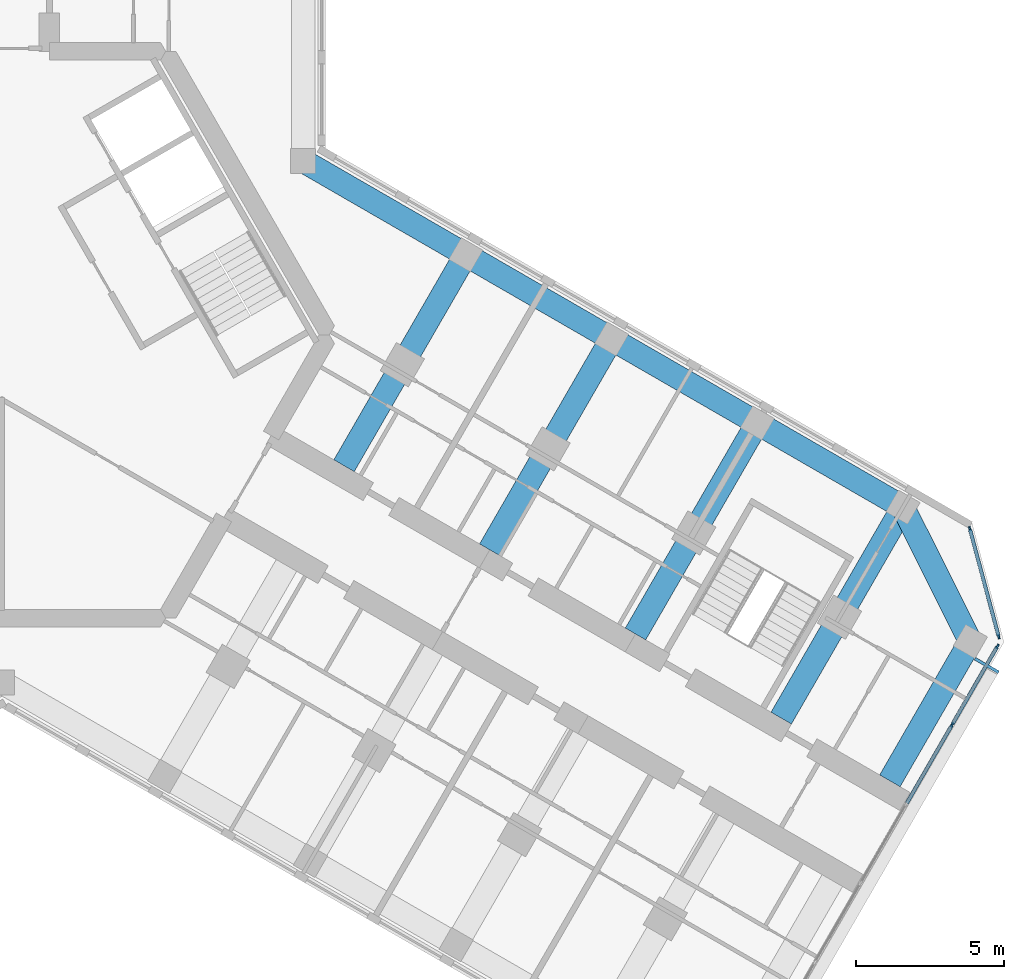
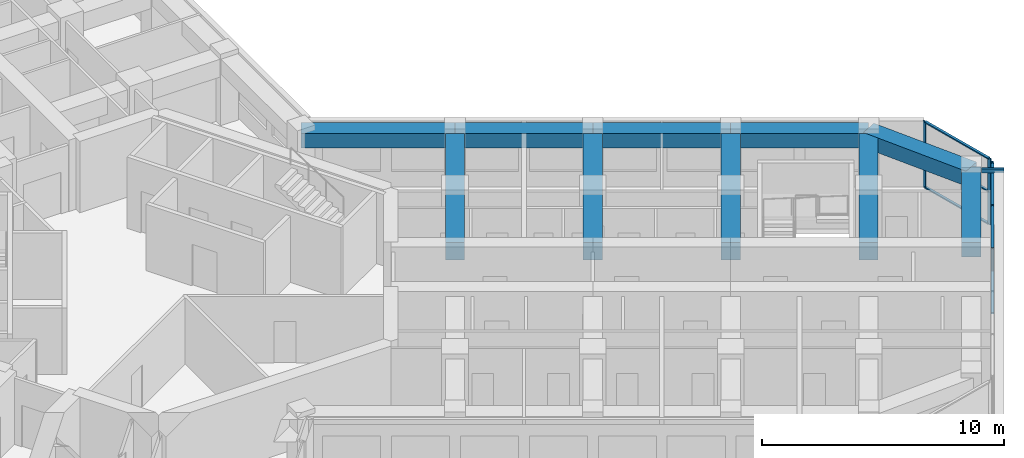
# One storey, part 5 of 16: 12 members, 10 beams, 2 elements without a shape of their own.
"""IFC4 building model written with IfcOpenShell, lengths in metres."""

from ifc_helpers import new_model, si_unit, direction, frame, origin, origin_2d, place, context, subcontext, project, spatial, rectangle, hollow_rectangle, extrude, material, material_profile, profile_set, type_object, element, aggregate, save


model = new_model("IFC4")

# Units and contexts
model_context = context("Model", 3, precision=1e-05, world=origin(), true_north=direction((0.0, 1.0)))
body_context = subcontext(model_context, "Body", "Model", "MODEL_VIEW")
ifc_project = project(units=[si_unit("LENGTHUNIT", "METRE"), si_unit("AREAUNIT", "SQUARE_METRE"), si_unit("VOLUMEUNIT", "CUBIC_METRE"), si_unit("PLANEANGLEUNIT", "RADIAN"), si_unit("MASSUNIT", "GRAM", prefix="KILO")], contexts=[model_context])

# Site, building, storey
site_placement = place(None, origin())
site = spatial("IfcSite", under=ifc_project, at=site_placement, CompositionType="ELEMENT")
building_placement = place(site_placement, origin())
building = spatial("IfcBuilding", under=site, at=building_placement, Name="Kosmar Iwan School Tower", CompositionType="ELEMENT")
storey_placement = place(building_placement, frame((0.0, 0.0, 238.800048828125)))
storey = spatial("IfcBuildingStorey", under=building, at=storey_placement, Name="L60", CompositionType="ELEMENT", Elevation=238.800048828125)

# Member
ifc_material_1 = material(Name="Steel S355", Category="steel")
ifc_material_profile_1 = material_profile(ifc_material_1, hollow_rectangle(XDim=0.10009765625, YDim=0.199951171875, WallThickness=0.008056640625, at=origin_2d()), Name="RHS 200x100x8")
ifc_profile_set_1 = profile_set([ifc_material_profile_1], Name="Steel S355")
member_type_1 = type_object("IfcMemberType", Name="Fin bracket RHS 200x100", PredefinedType="USERDEFINED", material=ifc_profile_set_1)
member_1_placement = place(storey_placement, frame((32.9541015625, -10.971923828125, 3.474853515625), z_axis=(0.865943820382, -0.500141279983, 0.0), x_axis=(0.500141279983, 0.865943820382, 0.0)))
element("IfcMember", 1, at=member_1_placement, inside=storey, type_object=member_type_1, Name="Fin bracket L61", ObjectType="FIN BRACKET", PredefinedType="USERDEFINED", context=body_context, shape_type="SweptSolid", body=[
    extrude(hollow_rectangle(XDim=0.10009765625, YDim=0.199951171875, WallThickness=0.008056640625, at=origin_2d()), origin(), (0.0, 0.0, 1.0), 0.925048828125),
])

# Curtain wall, members
ifc_material_2 = material(Name="Dark glass in black aluminium frame", Category="aluminium")
curtain_wall_type_1 = type_object("IfcCurtainWallType", Name="Tower curtain wall dark glass", PredefinedType="USERDEFINED", material=ifc_material_2)
curtain_wall_1_placement = place(storey_placement, origin())
curtain_wall_1 = element("IfcCurtainWall", 2, at=curtain_wall_1_placement, inside=storey, type_object=curtain_wall_type_1, Name="Curtain wall L60-F01", ObjectType="UNITISED CURTAIN WALL", PredefinedType="USERDEFINED")
ifc_material_3 = material(Name="Black anodised aluminium", Category="aluminium")
ifc_material_profile_2 = material_profile(ifc_material_3, rectangle(XDim=0.06005859375, YDim=0.159912109375, at=origin_2d()), Name="MULLION 60x160")
ifc_profile_set_2 = profile_set([ifc_material_profile_2], Name="Black anodised aluminium")
member_type_2 = type_object("IfcMemberType", Name="Mullion 60x160", PredefinedType="MULLION", material=ifc_profile_set_2)
member_2_placement = place(storey_placement, frame((32.1806640625, -13.21142578125, 0.0), z_axis=(0.0, 0.0, 1.0), x_axis=(-0.866025405329, 0.499999997325, 0.0)))
member_2 = element("IfcMember", 3, at=member_2_placement, type_object=member_type_2, Name="CW1 mullion 5", PredefinedType="MULLION", context=body_context, shape_type="SweptSolid", body=[
    extrude(rectangle(XDim=0.06005859375, YDim=0.159912109375, at=origin_2d()), origin(), (0.0, 0.0, 1.0), 3.349853515625),
])
member_3_placement = place(storey_placement, frame((33.71533203125, -10.55322265625, 0.0), z_axis=(0.0, 0.0, 1.0), x_axis=(-0.866025405329, 0.499999997325, 0.0)))
member_3 = element("IfcMember", 4, at=member_3_placement, type_object=member_type_2, Name="CW1 mullion 6", PredefinedType="MULLION", context=body_context, shape_type="SweptSolid", body=[
    extrude(rectangle(XDim=0.06005859375, YDim=0.159912109375, at=origin_2d()), origin(), (0.0, 0.0, 1.0), 3.349853515625),
])

ifc_material_4 = material(Name="Dark glass in black aluminium frame", Category="aluminium")
curtain_wall_type_2 = type_object("IfcCurtainWallType", Name="Chamfer curtain wall dark glass", PredefinedType="USERDEFINED", material=ifc_material_4)
curtain_wall_2_placement = place(storey_placement, origin())
curtain_wall_2 = element("IfcCurtainWall", 5, at=curtain_wall_2_placement, inside=storey, type_object=curtain_wall_type_2, Name="Curtain wall L60-F02", ObjectType="FACETED CURTAIN WALL", PredefinedType="USERDEFINED")
member_4_placement = place(storey_placement, frame((33.7587890625, -10.2236328125, 0.0), z_axis=(0.0, 0.0, 1.0), x_axis=(-0.965925875495, -0.258818861462, 0.0)))
member_4 = element("IfcMember", 6, at=member_4_placement, type_object=member_type_2, Name="CW2 mullion 1", PredefinedType="MULLION", context=body_context, shape_type="SweptSolid", body=[
    extrude(rectangle(XDim=0.06005859375, YDim=0.159912109375, at=origin_2d()), origin(), (0.0, 0.0, 1.0), 3.349853515625),
])
member_5_placement = place(storey_placement, frame((32.78076171875, -6.5732421875, 0.0), z_axis=(0.0, 0.0, 1.0), x_axis=(-0.965925875495, -0.258818861462, 0.0)))
member_5 = element("IfcMember", 7, at=member_5_placement, type_object=member_type_2, Name="CW2 mullion 2", PredefinedType="MULLION", context=body_context, shape_type="SweptSolid", body=[
    extrude(rectangle(XDim=0.06005859375, YDim=0.159912109375, at=origin_2d()), origin(), (0.0, 0.0, 1.0), 3.349853515625),
])

# Beams
ifc_material_5 = material(Name="Concrete C50/60", Category="concrete")
ifc_material_profile_3 = material_profile(ifc_material_5, rectangle(XDim=0.800048828125, YDim=0.75, at=origin_2d()), Name="RC 800x750")
ifc_profile_set_3 = profile_set([ifc_material_profile_3], Name="Concrete C50/60")
beam_type_1 = type_object("IfcBeamType", Name="RC edge beam 800x750", PredefinedType="BEAM", material=ifc_profile_set_3)
beam_1_placement = place(storey_placement, frame((10.199951171875, 5.888916015625, 2.974853515625), z_axis=(0.866030912664, -0.49999045822, 0.0), x_axis=(0.49999045822, 0.866030912664, 0.0)))
element("IfcBeam", 8, at=beam_1_placement, inside=storey, type_object=beam_type_1, Name="Edge beam CL1", PredefinedType="BEAM", context=body_context, shape_type="SweptSolid", body=[
    extrude(rectangle(XDim=0.800048828125, YDim=0.75, at=origin_2d()), origin(), (0.0, 0.0, 1.0), 6.36083984375),
])
beam_2_placement = place(storey_placement, frame((15.708740234375, 2.70849609375, 2.974853515625), z_axis=(0.866025820012, -0.499999279071, 0.0), x_axis=(0.499999279071, 0.866025820012, 0.0)))
element("IfcBeam", 9, at=beam_2_placement, inside=storey, type_object=beam_type_1, Name="Edge beam CL2", PredefinedType="BEAM", context=body_context, shape_type="SweptSolid", body=[
    extrude(rectangle(XDim=0.800048828125, YDim=0.75, at=origin_2d()), origin(), (0.0, 0.0, 1.0), 5.7001953125),
])
for number, where, z_axis, x_axis, name in (
    (10, (20.645263671875, -0.1416015625, 2.974853515625), (0.866033658841, -0.49998570155, 0.0), (0.49998570155, 0.866033658841, 0.0), "Edge beam CL3"),
    (11, (25.58154296875, -2.991455078125, 2.974853515625), (0.866015111908, -0.50001782563, 0.0), (0.50001782563, 0.866015111908, 0.0), "Edge beam CL4"),
):
    element("IfcBeam", number, at=place(storey_placement, frame(where, z_axis=z_axis, x_axis=x_axis)), inside=storey, type_object=beam_type_1, Name=name, PredefinedType="BEAM", context=body_context, shape_type="SweptSolid", body=[
        extrude(rectangle(XDim=0.800048828125, YDim=0.75, at=origin_2d()), origin(), (0.0, 0.0, 1.0), 5.699951171875),
    ])
ifc_material_6 = material(Name="Concrete C50/60", Category="concrete")
ifc_material_profile_4 = material_profile(ifc_material_6, rectangle(XDim=0.800048828125, YDim=0.75, at=origin_2d()), Name="RC 800x750")
ifc_profile_set_4 = profile_set([ifc_material_profile_4], Name="Concrete C50/60")
beam_type_2 = type_object("IfcBeamType", Name="RC tip beam 800x750", PredefinedType="BEAM", material=ifc_profile_set_4)
beam_3_placement = place(storey_placement, frame((30.517822265625, -5.841552734375, 2.974853515625), z_axis=(0.44809604203, -0.893985423325, 0.0), x_axis=(0.893985423325, 0.44809604203, 0.0)))
element("IfcBeam", 12, at=beam_3_placement, inside=storey, type_object=beam_type_2, Name="Tip beam CL", PredefinedType="BEAM", context=body_context, shape_type="SweptSolid", body=[
    extrude(rectangle(XDim=0.800048828125, YDim=0.75, at=origin_2d()), origin(), (0.0, 0.0, 1.0), 5.08935546875),
])
beam_4_placement = place(storey_placement, frame((32.79833984375, -10.391357421875, 2.974853515625), z_axis=(-0.49996933381, -0.866043108194, 0.0), x_axis=(0.866043108194, -0.49996933381, 0.0)))
element("IfcBeam", 13, at=beam_4_placement, inside=storey, type_object=beam_type_2, Name="Tip beam CL to corridor wall", PredefinedType="BEAM", context=body_context, shape_type="SweptSolid", body=[
    extrude(rectangle(XDim=0.800048828125, YDim=0.75, at=origin_2d()), origin(), (0.0, 0.0, 1.0), 5.449951171875),
])
ifc_material_7 = material(Name="Concrete C50/60", Category="concrete")
ifc_material_profile_5 = material_profile(ifc_material_7, rectangle(XDim=0.800048828125, YDim=0.89990234375, at=origin_2d()), Name="RC 800x900")
ifc_profile_set_5 = profile_set([ifc_material_profile_5], Name="Concrete C50/60")
beam_type_3 = type_object("IfcBeamType", Name="RC transverse beam 800x900", PredefinedType="BEAM", material=ifc_profile_set_5)
beam_5_placement = place(storey_placement, frame((15.708740234375, 2.70849609375, 2.89990234375), z_axis=(-0.499996545922, -0.866027397988, 0.0), x_axis=(0.866027397988, -0.499996545922, 0.0)))
element("IfcBeam", 14, at=beam_5_placement, inside=storey, type_object=beam_type_3, Name="Transverse beam CL1", PredefinedType="BEAM", context=body_context, shape_type="SweptSolid", body=[
    extrude(rectangle(XDim=0.800048828125, YDim=0.89990234375, at=origin_2d()), origin(), (0.0, 0.0, 1.0), 8.25),
])
beam_6_placement = place(storey_placement, frame((20.645263671875, -0.1416015625, 2.89990234375), z_axis=(-0.500009360108, -0.866019999656, 0.0), x_axis=(0.866019999656, -0.500009360108, 0.0)))
element("IfcBeam", 15, at=beam_6_placement, inside=storey, type_object=beam_type_3, Name="Transverse beam CL2", PredefinedType="BEAM", context=body_context, shape_type="SweptSolid", body=[
    extrude(rectangle(XDim=0.800048828125, YDim=0.89990234375, at=origin_2d()), origin(), (0.0, 0.0, 1.0), 8.249755859375),
])
for number, where, z_axis, x_axis, name in (
    (16, (25.58154296875, -2.991455078125, 2.89990234375), (-0.499996545922, -0.866027397988, 0.0), (0.866027397988, -0.499996545922, 0.0), "Transverse beam CL3"),
    (17, (30.517822265625, -5.841552734375, 2.89990234375), (-0.499996545922, -0.866027397988, 0.0), (0.866027397988, -0.499996545922, 0.0), "Transverse beam CL4"),
):
    element("IfcBeam", number, at=place(storey_placement, frame(where, z_axis=z_axis, x_axis=x_axis)), inside=storey, type_object=beam_type_3, Name=name, PredefinedType="BEAM", context=body_context, shape_type="SweptSolid", body=[
        extrude(rectangle(XDim=0.800048828125, YDim=0.89990234375, at=origin_2d()), origin(), (0.0, 0.0, 1.0), 8.25),
    ])

# Member
ifc_material_8 = material(Name="Black anodised aluminium", Category="aluminium")
ifc_material_profile_6 = material_profile(ifc_material_8, rectangle(XDim=0.1201171875, YDim=0.06005859375, at=origin_2d()), Name="TRANSOM 60x120")
ifc_profile_set_6 = profile_set([ifc_material_profile_6], Name="Black anodised aluminium")
member_type_3 = type_object("IfcMemberType", Name="Transom 60x120", PredefinedType="USERDEFINED", material=ifc_profile_set_6)
member_6_placement = place(storey_placement, frame((30.64599609375, -15.869384765625, 0.030029296875), z_axis=(0.500035348339, 0.866004994449, 0.0), x_axis=(-0.866004994449, 0.500035348339, 0.0)))
member_6 = element("IfcMember", 18, at=member_6_placement, type_object=member_type_3, Name="CW1 transom 4.1", ObjectType="TRANSOM", PredefinedType="USERDEFINED", context=body_context, shape_type="SweptSolid", body=[
    extrude(rectangle(XDim=0.1201171875, YDim=0.06005859375, at=origin_2d()), origin(), (0.0, 0.0, 1.0), 3.039306640625),
])

member_7_placement = place(storey_placement, frame((30.64599609375, -15.869384765625, 3.320068359375), z_axis=(0.500035348339, 0.866004994449, 0.0), x_axis=(-0.866004994449, 0.500035348339, 0.0)))
member_7 = element("IfcMember", 19, at=member_7_placement, type_object=member_type_3, Name="CW1 transom 4.2", ObjectType="TRANSOM", PredefinedType="USERDEFINED", context=body_context, shape_type="SweptSolid", body=[
    extrude(rectangle(XDim=0.1201171875, YDim=0.06005859375, at=origin_2d()), origin(), (0.0, 0.0, 1.0), 3.039306640625),
])

member_8_placement = place(storey_placement, frame((32.19580078125, -13.185302734375, 0.030029296875), z_axis=(0.500022102064, 0.866012642776, 0.0), x_axis=(-0.866012642776, 0.500022102064, 0.0)))
member_8 = element("IfcMember", 20, at=member_8_placement, type_object=member_type_3, Name="CW1 transom 5.1", ObjectType="TRANSOM", PredefinedType="USERDEFINED", context=body_context, shape_type="SweptSolid", body=[
    extrude(rectangle(XDim=0.1201171875, YDim=0.06005859375, at=origin_2d()), origin(), (0.0, 0.0, 1.0), 3.009033203125),
])

member_9_placement = place(storey_placement, frame((32.19580078125, -13.185302734375, 3.320068359375), z_axis=(0.500022102064, 0.866012642776, 0.0), x_axis=(-0.866012642776, 0.500022102064, 0.0)))
member_9 = element("IfcMember", 21, at=member_9_placement, type_object=member_type_3, Name="CW1 transom 5.2", ObjectType="TRANSOM", PredefinedType="USERDEFINED", context=body_context, shape_type="SweptSolid", body=[
    extrude(rectangle(XDim=0.1201171875, YDim=0.06005859375, at=origin_2d()), origin(), (0.0, 0.0, 1.0), 3.009033203125),
])

aggregate(curtain_wall_1, [member_2, member_3, member_6, member_7, member_8, member_9])

member_10_placement = place(storey_placement, frame((33.7509765625, -10.194580078125, 0.030029296875), z_axis=(-0.258843273983, 0.965919333854, 0.0), x_axis=(-0.965919333854, -0.258843273983, 0.0)))
member_10 = element("IfcMember", 22, at=member_10_placement, type_object=member_type_3, Name="CW2 transom 1.1", ObjectType="TRANSOM", PredefinedType="USERDEFINED", context=body_context, shape_type="SweptSolid", body=[
    extrude(rectangle(XDim=0.1201171875, YDim=0.06005859375, at=origin_2d()), origin(), (0.0, 0.0, 1.0), 3.718994140625),
])

member_11_placement = place(storey_placement, frame((33.7509765625, -10.194580078125, 1.675048828125), z_axis=(-0.258843273983, 0.965919333854, 0.0), x_axis=(-0.965919333854, -0.258843273983, 0.0)))
member_11 = element("IfcMember", 23, at=member_11_placement, type_object=member_type_3, Name="CW2 transom 1.2", ObjectType="TRANSOM", PredefinedType="USERDEFINED", context=body_context, shape_type="SweptSolid", body=[
    extrude(rectangle(XDim=0.1201171875, YDim=0.06005859375, at=origin_2d()), origin(), (0.0, 0.0, 1.0), 3.718994140625),
])

member_12_placement = place(storey_placement, frame((33.7509765625, -10.194580078125, 3.320068359375), z_axis=(-0.258843273983, 0.965919333854, 0.0), x_axis=(-0.965919333854, -0.258843273983, 0.0)))
member_12 = element("IfcMember", 24, at=member_12_placement, type_object=member_type_3, Name="CW2 transom 1.3", ObjectType="TRANSOM", PredefinedType="USERDEFINED", context=body_context, shape_type="SweptSolid", body=[
    extrude(rectangle(XDim=0.1201171875, YDim=0.06005859375, at=origin_2d()), origin(), (0.0, 0.0, 1.0), 3.718994140625),
])

aggregate(curtain_wall_2, [member_4, member_5, member_10, member_11, member_12])

save(model, "model.ifc")
